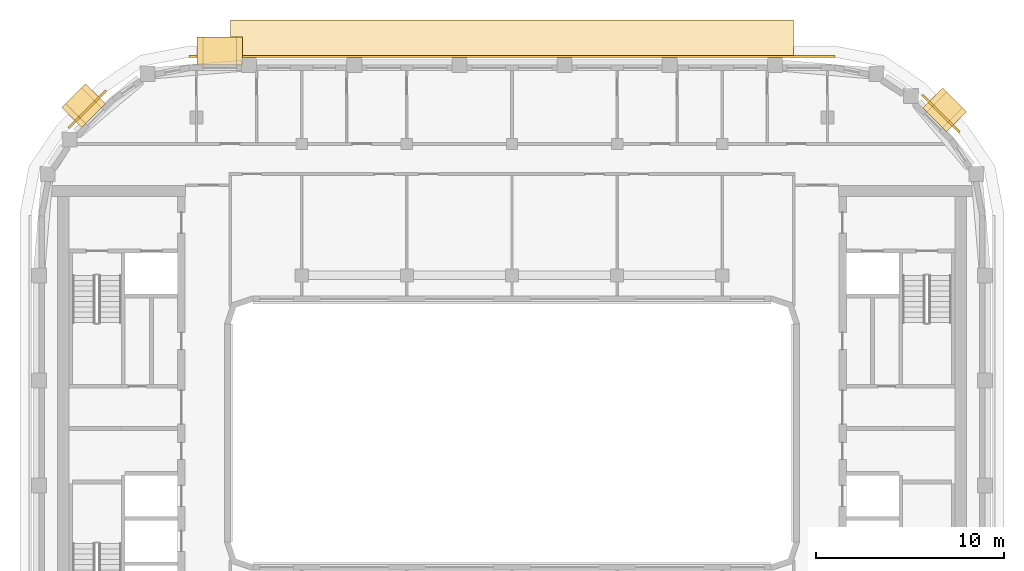
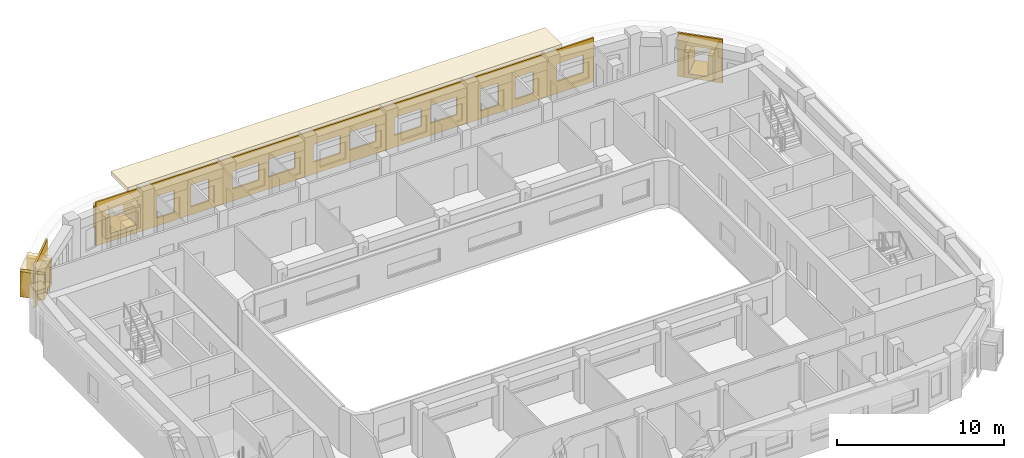
# One storey, part 15 of 15: 10 coverings.
"""IFC4 building model written with IfcOpenShell, lengths in metres."""

from ifc_helpers import new_model, si_unit, direction, frame, origin, origin_2d, place, context, subcontext, project, spatial, polyline, rectangle, outline, extrude, material, layer, layer_set, type_object, element, save


model = new_model("IFC4")

# Units and contexts
model_context = context("Model", 3, precision=1e-05, world=origin(), true_north=direction((0.0, 1.0)))
body_context = subcontext(model_context, "Body", "Model", "MODEL_VIEW")
ifc_project = project(units=[si_unit("LENGTHUNIT", "METRE"), si_unit("AREAUNIT", "SQUARE_METRE"), si_unit("VOLUMEUNIT", "CUBIC_METRE"), si_unit("PLANEANGLEUNIT", "RADIAN"), si_unit("MASSUNIT", "GRAM", prefix="KILO")], contexts=[model_context])

# Site, building, storey
site_placement = place(None, origin())
site = spatial("IfcSite", under=ifc_project, at=site_placement, CompositionType="ELEMENT")
building_placement = place(site_placement, origin())
building = spatial("IfcBuilding", under=site, at=building_placement, Name="Kiln Ring Residences", CompositionType="ELEMENT")
storey_placement = place(building_placement, frame((0.0, 0.0, 252.199951171875)))
storey = spatial("IfcBuildingStorey", under=building, at=storey_placement, Name="L65", CompositionType="ELEMENT", Elevation=252.199951171875)

# Coverings
ifc_material_1 = material(Name="Brick masonry, dark clay brick", Category="masonry")
ifc_layer_1 = layer(ifc_material_1, 0.300048828125)
ifc_layer_set_1 = layer_set([ifc_layer_1], Name="FRAME CHEEKS AND SILL 1500")
covering_type_1 = type_object("IfcCoveringType", Name="FRAME CHEEKS AND SILL 1500", PredefinedType="CLADDING", material=ifc_layer_set_1)
covering_1_placement = place(storey_placement, frame((23.6796875, 16.5810546875, 0.300048828125), z_axis=(0.0, 0.0, 1.0), x_axis=(-0.707106781187, 0.707106781187, 0.0)))
element("IfcCovering", 1, at=covering_1_placement, inside=storey, type_object=covering_type_1, Name="FRAME L65", PredefinedType="CLADDING", context=body_context, shape_type="SweptSolid", body=[
    extrude(outline(polyline([(0.0, 0.0), (1.7998046875, 0.0), (1.800048828125, 1.85009765625), (1.5009765625, 1.85009765625), (1.5, 0.300048828125), (0.300048828125, 0.300048828125), (0.299072265625, 1.85009765625), (0.0, 1.85009765625), (0.0, 0.0)])), frame((0.0, 0.75, 0.0), z_axis=(0.0, -1.0, 0.0), x_axis=(1.0, 0.0, 0.0)), (0.0, 0.0, 1.0), 1.5),
])
covering_2_placement = place(storey_placement, frame((-14.362548828125, 20.35009765625, 0.60009765625), z_axis=(0.0, 0.0, 1.0), x_axis=(-1.0, 0.0, 0.0)))
element("IfcCovering", 2, at=covering_2_placement, inside=storey, type_object=covering_type_1, Name="FRAME L65", PredefinedType="CLADDING", context=body_context, shape_type="SweptSolid", body=[
    extrude(outline(polyline([(0.0, 0.0), (2.39990234375, 0.0), (2.39990234375, 1.550048828125), (2.10107421875, 1.550048828125), (2.10009765625, 0.300048828125), (0.300048828125, 0.300048828125), (0.299072265625, 1.550048828125), (0.0, 1.550048828125), (0.0, 0.0)])), frame((0.0, 0.75, 0.0), z_axis=(0.0, -1.0, 0.0), x_axis=(1.0, 0.0, 0.0)), (0.0, 0.0, 1.0), 1.5),
])
covering_3_placement = place(storey_placement, frame((-22.180908203125, 18.079833984375, 0.300048828125), z_axis=(0.0, 0.0, 1.0), x_axis=(-0.707038962956, -0.707174592913, 0.0)))
element("IfcCovering", 3, at=covering_3_placement, inside=storey, type_object=covering_type_1, Name="FRAME L65", PredefinedType="CLADDING", context=body_context, shape_type="SweptSolid", body=[
    extrude(outline(polyline([(0.0, 0.0), (1.800048828125, 0.0), (1.800048828125, 1.85009765625), (1.5009765625, 1.85009765625), (1.5, 0.300048828125), (0.300048828125, 0.300048828125), (0.299072265625, 1.85009765625), (0.0, 1.85009765625), (0.0, 0.0)])), frame((0.0, 0.75, 0.0), z_axis=(0.0, -1.0, 0.0), x_axis=(1.0, 0.0, 0.0)), (0.0, 0.0, 1.0), 1.5),
])
ifc_material_2 = material(Name="Brick masonry, dark clay brick", Category="masonry")
ifc_layer_2 = layer(ifc_material_2, 0.199951171875)
ifc_layer_set_2 = layer_set([ifc_layer_2], Name="FRAME HEAD 1500")
covering_type_2 = type_object("IfcCoveringType", Name="FRAME HEAD 1500", PredefinedType="CLADDING", material=ifc_layer_set_2)
covering_4_placement = place(storey_placement, frame((23.043212890625, 17.21728515625, 2.14990234375), z_axis=(0.0, 0.0, 1.0), x_axis=(-0.707106781187, 0.707106781187, 0.0)))
element("IfcCovering", 4, at=covering_4_placement, inside=storey, type_object=covering_type_2, Name="FRAME HEAD L65", PredefinedType="CLADDING", context=body_context, shape_type="SweptSolid", body=[
    extrude(rectangle(XDim=1.800048828125, YDim=1.5, at=origin_2d()), origin(), (0.0, 0.0, 1.0), 0.199951171875),
])
covering_5_placement = place(storey_placement, frame((-15.5625, 20.35009765625, 2.14990234375), z_axis=(0.0, 0.0, 1.0), x_axis=(-1.0, 0.0, 0.0)))
element("IfcCovering", 5, at=covering_5_placement, inside=storey, type_object=covering_type_2, Name="FRAME HEAD L65", PredefinedType="CLADDING", context=body_context, shape_type="SweptSolid", body=[
    extrude(rectangle(XDim=2.39990234375, YDim=1.5, at=origin_2d()), origin(), (0.0, 0.0, 1.0), 0.199951171875),
])
covering_6_placement = place(storey_placement, frame((-22.8173828125, 17.443359375, 2.14990234375), z_axis=(0.0, 0.0, 1.0), x_axis=(-0.707106781187, -0.707106781187, 0.0)))
element("IfcCovering", 6, at=covering_6_placement, inside=storey, type_object=covering_type_2, Name="FRAME HEAD L65", PredefinedType="CLADDING", context=body_context, shape_type="SweptSolid", body=[
    extrude(rectangle(XDim=1.800048828125, YDim=1.5, at=origin_2d()), origin(), (0.0, 0.0, 1.0), 0.199951171875),
])
ifc_material_3 = material(Name="Brick masonry, dark clay brick", Category="masonry")
ifc_layer_3 = layer(ifc_material_3, 0.1201171875)
ifc_layer_set_3 = layer_set([ifc_layer_3], Name="RAINSCREEN PANEL 120")
covering_type_3 = type_object("IfcCoveringType", Name="RAINSCREEN PANEL 120", PredefinedType="CLADDING", material=ifc_layer_set_3)
covering_7_placement = place(storey_placement, frame((23.828125, 16.022216796875, 0.0), z_axis=(0.0, 0.0, 1.0), x_axis=(-0.707063182409, 0.707150377276, 0.0)))
element("IfcCovering", 7, at=covering_7_placement, inside=storey, type_object=covering_type_3, Name="RAINSCREEN L65", PredefinedType="CLADDING", context=body_context, shape_type="SweptSolid", body=[
    extrude(outline(polyline([(0.0, 0.0), (2.800048828125, 0.0), (2.800048828125, 3.199951171875), (0.0, 3.199951171875), (0.0, 0.0)]), holes=[polyline([(0.47998046875, 2.3701171875), (0.47998046875, 0.280029296875), (2.320068359375, 0.280029296875), (2.320068359375, 2.3701171875), (0.47998046875, 2.3701171875)])]), frame((0.0, 0.06005859375, 0.0), z_axis=(0.0, -1.0, 0.0), x_axis=(1.0, 0.0, 0.0)), (0.0, 0.0, 1.0), 0.1201171875),
])
covering_8_placement = place(storey_placement, frame((17.199951171875, 20.06005859375, 0.0), z_axis=(0.0, 0.0, 1.0), x_axis=(-1.0, 0.0, 0.0)))
element("IfcCovering", 8, at=covering_8_placement, inside=storey, type_object=covering_type_3, Name="RAINSCREEN L65", PredefinedType="CLADDING", context=body_context, shape_type="SweptSolid", body=[
    extrude(outline(polyline([(0.0, 0.0), (34.39990234375, 0.0), (34.39990234375, 3.199951171875), (0.0, 3.199951171875), (0.0, 0.0)]), holes=[polyline([(4.179931640625, 0.580078125), (5.419921875, 0.580078125), (5.419921875, 2.170166015625), (4.179931640625, 2.170166015625), (4.179931640625, 0.580078125)]), polyline([(6.580078125, 2.170166015625), (6.580078125, 0.580078125), (7.820068359375, 0.580078125), (7.820068359375, 2.170166015625), (6.580078125, 2.170166015625)]), polyline([(0.717529296875, 2.170166015625), (0.717529296875, 0.880126953125), (2.5576171875, 0.880126953125), (2.5576171875, 2.170166015625), (0.717529296875, 2.170166015625)]), polyline([(9.4423828125, 0.880126953125), (11.282470703125, 0.880126953125), (11.282470703125, 2.170166015625), (9.4423828125, 2.170166015625), (9.4423828125, 0.880126953125)]), polyline([(11.91748046875, 2.170166015625), (11.91748046875, 0.880126953125), (13.757568359375, 0.880126953125), (13.757568359375, 2.170166015625), (11.91748046875, 2.170166015625)]), polyline([(15.04248046875, 2.170166015625), (15.04248046875, 0.880126953125), (16.882568359375, 0.880126953125), (16.882568359375, 2.170166015625), (15.04248046875, 2.170166015625)]), polyline([(26.580078125, 0.580078125), (27.820068359375, 0.580078125), (27.820068359375, 2.170166015625), (26.580078125, 2.170166015625), (26.580078125, 0.580078125)]), polyline([(28.97998046875, 2.170166015625), (28.97998046875, 0.580078125), (30.219970703125, 0.580078125), (30.219970703125, 2.170166015625), (28.97998046875, 2.170166015625)]), polyline([(31.54248046875, 2.3701171875), (31.54248046875, 0.580078125), (33.982421875, 0.580078125), (33.982421875, 2.3701171875), (31.54248046875, 2.3701171875)]), polyline([(17.517578125, 0.880126953125), (19.357421875, 0.880126953125), (19.357421875, 2.170166015625), (17.517578125, 2.170166015625), (17.517578125, 0.880126953125)]), polyline([(20.642578125, 2.170166015625), (20.642578125, 0.880126953125), (22.482421875, 0.880126953125), (22.482421875, 2.170166015625), (20.642578125, 2.170166015625)]), polyline([(23.117431640625, 2.170166015625), (23.117431640625, 0.880126953125), (24.95751953125, 0.880126953125), (24.95751953125, 2.170166015625), (23.117431640625, 2.170166015625)])]), frame((0.0, 0.06005859375, 0.0), z_axis=(0.0, -1.0, 0.0), x_axis=(1.0, 0.0, 0.0)), (0.0, 0.0, 1.0), 0.1201171875),
])
covering_9_placement = place(storey_placement, frame((-21.622314453125, 18.228271484375, 0.0), z_axis=(0.0, 0.0, 1.0), x_axis=(-0.707106781187, -0.707106781187, 0.0)))
element("IfcCovering", 9, at=covering_9_placement, inside=storey, type_object=covering_type_3, Name="RAINSCREEN L65", PredefinedType="CLADDING", context=body_context, shape_type="SweptSolid", body=[
    extrude(outline(polyline([(0.0, 0.0), (2.800048828125, 0.0), (2.800048828125, 3.199951171875), (0.0, 3.199951171875), (0.0, 0.0)]), holes=[polyline([(0.47998046875, 2.3701171875), (0.47998046875, 0.280029296875), (2.320068359375, 0.280029296875), (2.320068359375, 2.3701171875), (0.47998046875, 2.3701171875)])]), frame((0.0, 0.06005859375, 0.0), z_axis=(0.0, -1.0, 0.0), x_axis=(1.0, 0.0, 0.0)), (0.0, 0.0, 1.0), 0.1201171875),
])
ifc_material_4 = material(Name="Black powder-coated steel", Category="steel")
ifc_layer_4 = layer(ifc_material_4, 0.300048828125)
ifc_layer_set_4 = layer_set([ifc_layer_4], Name="SUNSHADE BAND 2000")
covering_type_4 = type_object("IfcCoveringType", Name="SUNSHADE BAND 2000", PredefinedType="CLADDING", material=ifc_layer_set_4)
covering_10_placement = place(storey_placement, frame((0.0, 0.0, 3.199951171875)))
element("IfcCovering", 10, at=covering_10_placement, inside=storey, type_object=covering_type_4, Name="SUNSHADE BAND L65", PredefinedType="CLADDING", context=body_context, shape_type="SweptSolid", body=[
    extrude(outline(polyline([(15.0, 22.0), (-15.0, 22.0), (-15.0, 20.0), (15.0, 20.0), (15.0, 22.0)])), origin(), (0.0, 0.0, 1.0), 0.300048828125),
])

save(model, "model.ifc")
